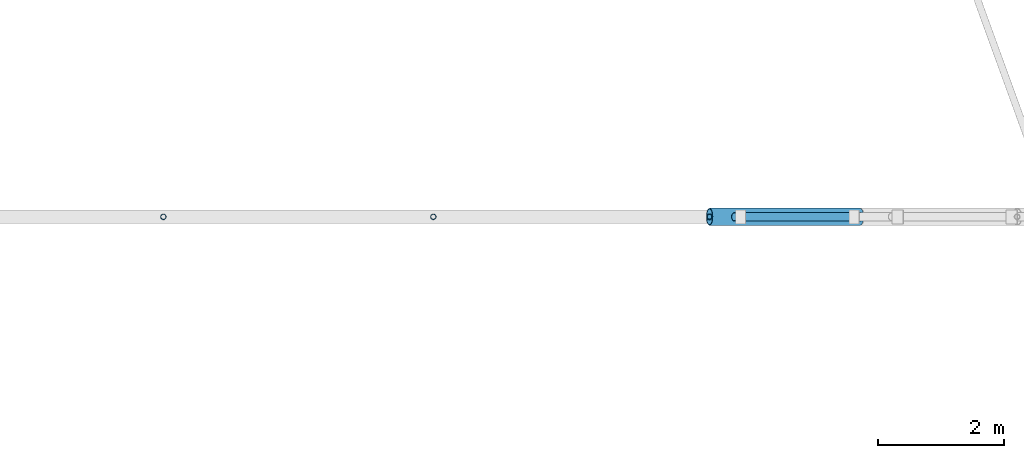
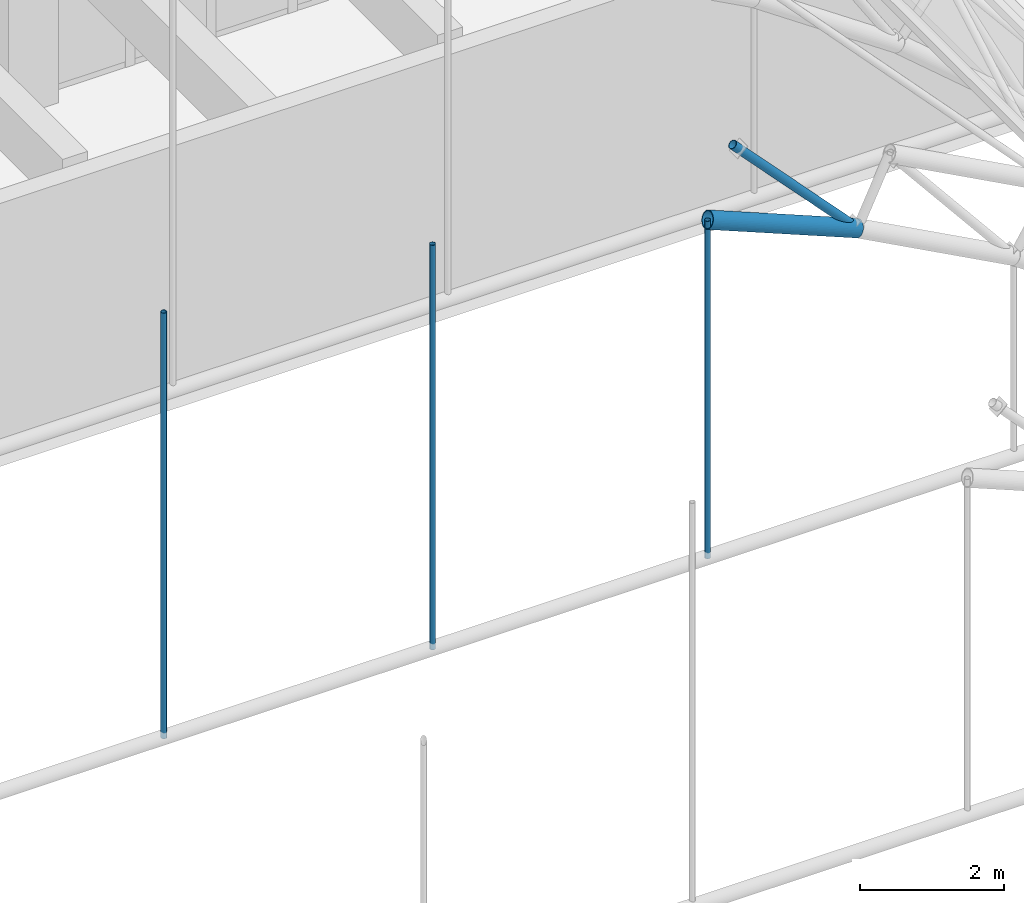
# One storey, part 18 of 101: 5 members.
"""IFC4 building model written with IfcOpenShell, lengths in metres."""

from ifc_helpers import new_model, si_unit, direction, frame, origin, origin_2d, place, context, subcontext, project, spatial, hollow_circle, extrude, material, material_profile, profile_set, type_object, element, save


model = new_model("IFC4")

# Units and contexts
model_context = context("Model", 3, precision=1e-05, world=origin(), true_north=direction((0.0, 1.0)))
body_context = subcontext(model_context, "Body", "Model", "MODEL_VIEW")
ifc_project = project(units=[si_unit("LENGTHUNIT", "METRE"), si_unit("AREAUNIT", "SQUARE_METRE"), si_unit("VOLUMEUNIT", "CUBIC_METRE"), si_unit("PLANEANGLEUNIT", "RADIAN"), si_unit("MASSUNIT", "GRAM", prefix="KILO")], contexts=[model_context])

# Site, building, storey
site_placement = place(None, origin())
site = spatial("IfcSite", under=ifc_project, at=site_placement, CompositionType="ELEMENT")
building_placement = place(site_placement, origin())
building = spatial("IfcBuilding", under=site, at=building_placement, Name="Laocheng Heights Fire and Rescue Headquarters", CompositionType="ELEMENT")
storey_placement = place(building_placement, frame((0.0, 0.0, 8.39990234375)))
storey = spatial("IfcBuildingStorey", under=building, at=storey_placement, Name="L02", CompositionType="ELEMENT", Elevation=8.39990234375)

# Members
ifc_material_1 = material(Name="Steel Q355B", Category="steel")
ifc_material_profile_1 = material_profile(ifc_material_1, hollow_circle(Radius=0.136474609375, WallThickness=0.011962890625, at=origin_2d()), Name="CHS 273x12")
ifc_profile_set_1 = profile_set([ifc_material_profile_1], Name="Steel Q355B")
member_type_1 = type_object("IfcMemberType", Name="BAY ROOF CHORD CHS 273x12", PredefinedType="CHORD", material=ifc_profile_set_1)
member_1_placement = place(storey_placement, frame((44.699951171875, 14.39990234375, 5.70703125), z_axis=(0.925143196913, 0.0, -0.379618315161), x_axis=(0.0, 1.0, 0.0)))
element("IfcMember", 1, at=member_1_placement, inside=storey, type_object=member_type_1, Name="Truss TR3 lower chord 13", PredefinedType="CHORD", context=body_context, shape_type="SweptSolid", body=[
    extrude(hollow_circle(Radius=0.136474609375, WallThickness=0.011962890625, at=origin_2d()), origin(), (0.0, 0.0, 1.0), 2.59423828125),
])
ifc_material_2 = material(Name="Steel Q355B", Category="steel")
ifc_material_profile_2 = material_profile(ifc_material_2, hollow_circle(Radius=0.06982421875, WallThickness=0.006103515625, at=origin_2d()), Name="CHS 139.7x6")
ifc_profile_set_2 = profile_set([ifc_material_profile_2], Name="Steel Q355B")
member_type_2 = type_object("IfcMemberType", Name="BAY ROOF DIAG CHS 139.7x6", PredefinedType="BRACE", material=ifc_profile_set_2)
member_2_placement = place(storey_placement, frame((47.10009765625, 14.39990234375, 4.72216796875), z_axis=(-0.686744141794, 0.0, 0.72689922528), x_axis=(0.0, -1.0, 0.0)))
element("IfcMember", 2, at=member_2_placement, inside=storey, type_object=member_type_2, Name="Truss diagonal TR3-13", PredefinedType="BRACE", context=body_context, shape_type="SweptSolid", body=[
    extrude(hollow_circle(Radius=0.06982421875, WallThickness=0.006103515625, at=origin_2d()), origin(), (0.0, 0.0, 1.0), 2.912353515625),
])
ifc_material_3 = material(Name="Steel Q355B", Category="steel")
ifc_material_profile_3 = material_profile(ifc_material_3, hollow_circle(Radius=0.04443359375, WallThickness=0.0048828125, at=origin_2d()), Name="CHS 88.9x5")
ifc_profile_set_3 = profile_set([ifc_material_profile_3], Name="Steel Q355B")
member_type_3 = type_object("IfcMemberType", Name="BAY ROOF HANGER CHS 88.9x5", PredefinedType="POST", material=ifc_profile_set_3)
member_3_placement = place(storey_placement, frame((36.0, 14.39990234375, 0.0), z_axis=(0.0, 0.0, 1.0), x_axis=(1.0, 0.0, 0.0)))
element("IfcMember", 3, at=member_3_placement, inside=storey, type_object=member_type_3, Name="Truss TR3 hanger 08", PredefinedType="POST", context=body_context, shape_type="SweptSolid", body=[
    extrude(hollow_circle(Radius=0.04443359375, WallThickness=0.0048828125, at=origin_2d()), origin(), (0.0, 0.0, 1.0), 7.2001953125),
])
member_4_placement = place(storey_placement, frame((40.300048828125, 14.39990234375, 0.0), z_axis=(0.0, 0.0, 1.0), x_axis=(1.0, 0.0, 0.0)))
element("IfcMember", 4, at=member_4_placement, inside=storey, type_object=member_type_3, Name="Truss TR3 hanger 10", PredefinedType="POST", context=body_context, shape_type="SweptSolid", body=[
    extrude(hollow_circle(Radius=0.04443359375, WallThickness=0.0048828125, at=origin_2d()), origin(), (0.0, 0.0, 1.0), 6.843017578125),
])
member_5_placement = place(storey_placement, frame((44.699951171875, 14.39990234375, 0.0), z_axis=(0.0, 0.0, 1.0), x_axis=(1.0, 0.0, 0.0)))
element("IfcMember", 5, at=member_5_placement, inside=storey, type_object=member_type_3, Name="Truss TR3 hanger 12", PredefinedType="POST", context=body_context, shape_type="SweptSolid", body=[
    extrude(hollow_circle(Radius=0.04443359375, WallThickness=0.0048828125, at=origin_2d()), origin(), (0.0, 0.0, 1.0), 5.70703125),
])

save(model, "model.ifc")
